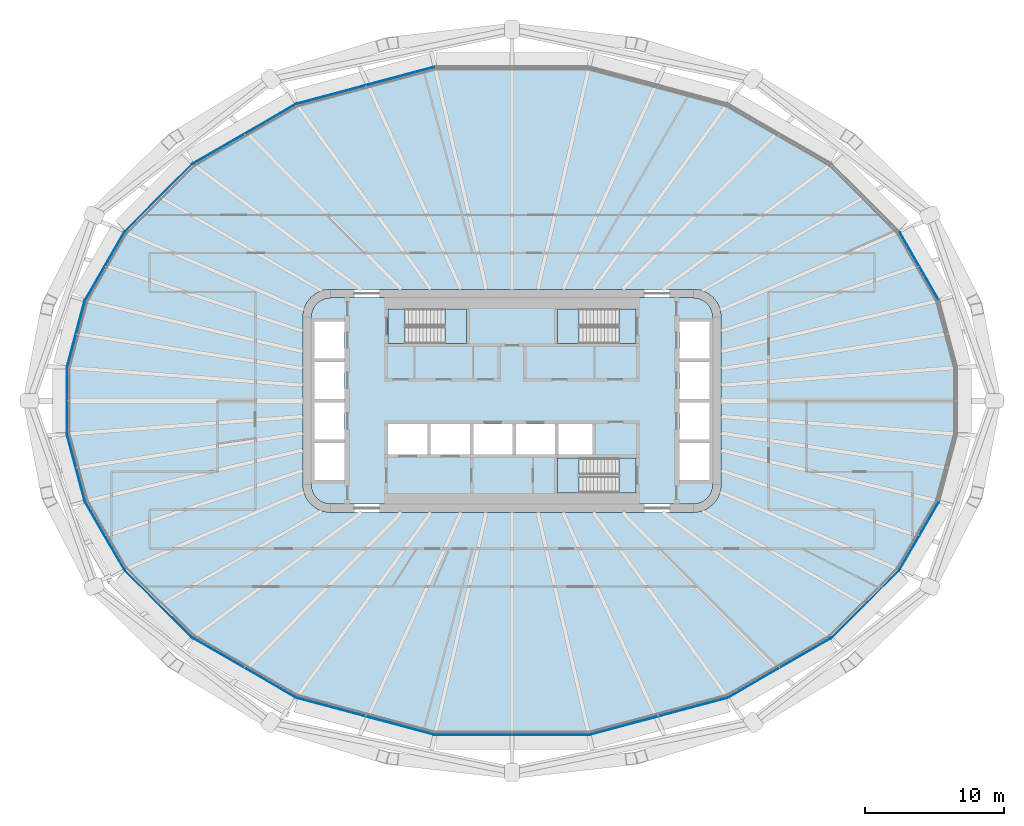
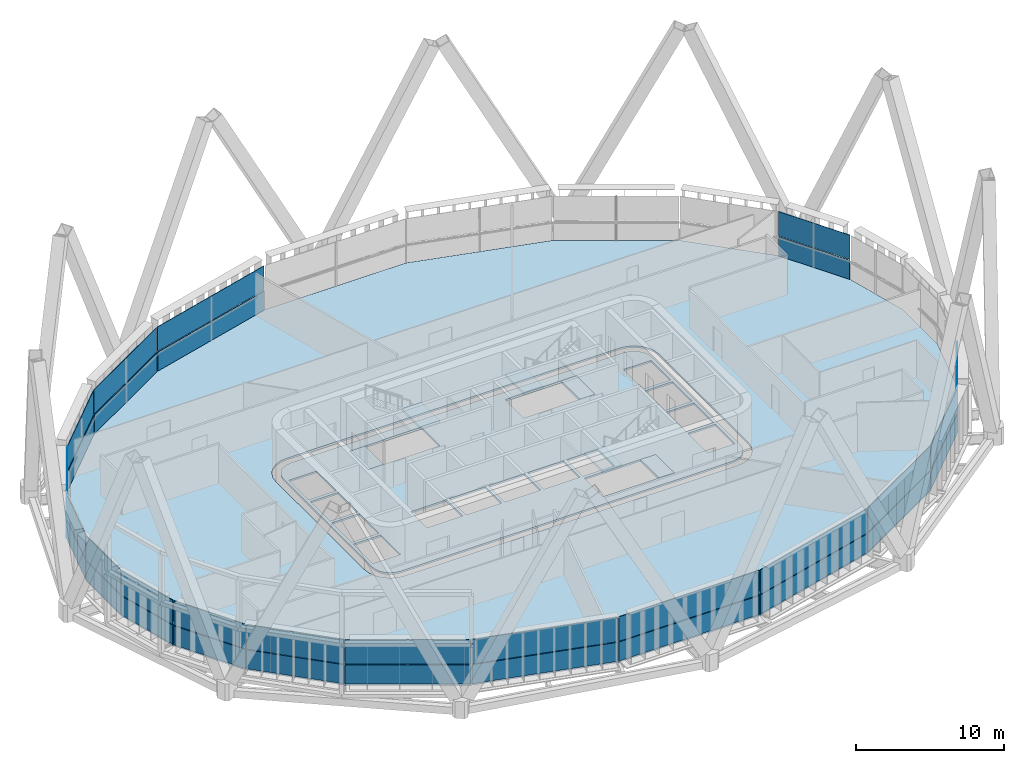
# One storey, part 13 of 25: 34 plates, 8 slabs, 20 elements without a shape of their own.
"""IFC4 building model written with IfcOpenShell, lengths in metres."""

from ifc_helpers import new_model, si_unit, direction, frame, origin, place, context, subcontext, project, spatial, polyline, outline, extrude, material, layer, layer_set, type_object, element, aggregate, save


model = new_model("IFC4")

# Units and contexts
model_context = context("Model", 3, precision=1e-05, world=origin(), true_north=direction((0.0, 1.0)))
body_context = subcontext(model_context, "Body", "Model", "MODEL_VIEW")
ifc_project = project(units=[si_unit("LENGTHUNIT", "METRE"), si_unit("AREAUNIT", "SQUARE_METRE"), si_unit("VOLUMEUNIT", "CUBIC_METRE"), si_unit("PLANEANGLEUNIT", "RADIAN"), si_unit("MASSUNIT", "GRAM", prefix="KILO")], contexts=[model_context])

# Site, building, storey
site_placement = place(None, origin())
site = spatial("IfcSite", under=ifc_project, at=site_placement, CompositionType="ELEMENT")
building_placement = place(site_placement, origin())
building = spatial("IfcBuilding", under=site, at=building_placement, Name="Sahrelin Media Tower", CompositionType="ELEMENT")
storey_placement = place(building_placement, frame((0.0, 0.0, 114.60009765625)))
storey = spatial("IfcBuildingStorey", under=building, at=storey_placement, Name="L22", CompositionType="ELEMENT", Elevation=114.60009765625)

# Slabs
ifc_material_1 = material(Name="Concrete C40/50", Category="concrete")
ifc_layer_1 = layer(ifc_material_1, 0.14990234375)
ifc_layer_set_1 = layer_set([ifc_layer_1], Name="Composite floor slab 150")
slab_type_1 = type_object("IfcSlabType", Name="Composite floor slab 150", PredefinedType="FLOOR", material=ifc_layer_set_1)
placement_1 = place(storey_placement, frame((0.0, 0.0, -0.150146484375)))
element("IfcSlab", 1, at=placement_1, inside=storey, type_object=slab_type_1, Name="Floor slab L22", PredefinedType="FLOOR", context=body_context, shape_type="SweptSolid", body=[
    extrude(outline(polyline([(31.895751953125, -2.38232421875), (31.895751953125, 2.38232421875), (30.60595703125, 7.19580078125), (27.770751953125, 12.106689453125), (22.89892578125, 16.978515625), (15.46240234375, 21.272216796875), (5.5234375, 23.935302734375), (-5.5234375, 23.935302734375), (-15.46240234375, 21.272216796875), (-22.89892578125, 16.978515625), (-27.770751953125, 12.106689453125), (-30.60595703125, 7.19580078125), (-31.895751953125, 2.38232421875), (-31.895751953125, -2.38232421875), (-30.60595703125, -7.19580078125), (-27.770751953125, -12.106689453125), (-22.89892578125, -16.978515625), (-15.46240234375, -21.272216796875), (-5.5234375, -23.935302734375), (5.5234375, -23.935302734375), (15.46240234375, -21.272216796875), (22.89892578125, -16.978515625), (27.770751953125, -12.106689453125), (30.60595703125, -7.19580078125), (31.895751953125, -2.38232421875)]), holes=[polyline([(14.931884765625, 6.517578125), (15.0, 6.0), (15.0, -6.0), (14.931884765625, -6.517578125), (14.732177734375, -7.0), (14.414306640625, -7.414306640625), (14.0, -7.732177734375), (13.517578125, -7.931884765625), (13.0, -8.0), (-13.0, -8.0), (-13.517578125, -7.931884765625), (-14.0, -7.732177734375), (-14.414306640625, -7.414306640625), (-14.732177734375, -7.0), (-14.931884765625, -6.517578125), (-15.0, -6.0), (-15.0, 6.0), (-14.931884765625, 6.517578125), (-14.732177734375, 7.0), (-14.414306640625, 7.414306640625), (-14.0, 7.732177734375), (-13.517578125, 7.931884765625), (-13.0, 8.0), (13.0, 8.0), (13.517578125, 7.931884765625), (14.0, 7.732177734375), (14.414306640625, 7.414306640625), (14.732177734375, 7.0), (14.931884765625, 6.517578125)])]), origin(), (0.0, 0.0, 1.0), 0.150146484375),
])
ifc_layer_2 = layer(ifc_material_1, 0.14990234375)
ifc_layer_set_2 = layer_set([ifc_layer_2], Name="Core floor slab 150")
slab_type_2 = type_object("IfcSlabType", Name="Core floor slab 150", PredefinedType="FLOOR", material=ifc_layer_set_2)
element("IfcSlab", 2, at=placement_1, inside=storey, type_object=slab_type_2, Name="Core floor", PredefinedType="FLOOR", context=body_context, shape_type="SweptSolid", body=[
    extrude(outline(polyline([(-14.347412109375, 6.361083984375), (-14.39990234375, 5.960693359375), (-14.39990234375, -5.960693359375), (-14.347412109375, -6.361083984375), (-14.2080078125, -6.697509765625), (-13.986328125, -6.986328125), (-13.697509765625, -7.2080078125), (-13.361083984375, -7.347412109375), (-12.960693359375, -7.39990234375), (12.960693359375, -7.39990234375), (13.361083984375, -7.347412109375), (13.697509765625, -7.2080078125), (13.986328125, -6.986328125), (14.2080078125, -6.697509765625), (14.347412109375, -6.361083984375), (14.39990234375, -5.960693359375), (14.39990234375, 5.960693359375), (14.347412109375, 6.361083984375), (14.2080078125, 6.697509765625), (13.986328125, 6.986328125), (13.697509765625, 7.2080078125), (13.361083984375, 7.347412109375), (12.960693359375, 7.39990234375), (-12.960693359375, 7.39990234375), (-13.361083984375, 7.347412109375), (-13.697509765625, 7.2080078125), (-13.986328125, 6.986328125), (-14.2080078125, 6.697509765625), (-14.347412109375, 6.361083984375)]), holes=[polyline([(-12.0, 3.02490234375), (-12.0, 5.675048828125), (-14.14990234375, 5.675048828125), (-14.14990234375, 3.02490234375), (-12.0, 3.02490234375)]), polyline([(-14.14990234375, 0.125), (-12.0, 0.125), (-12.0, 2.77490234375), (-14.14990234375, 2.77490234375), (-14.14990234375, 0.125)]), polyline([(-14.14990234375, -0.125), (-14.14990234375, -2.77490234375), (-12.0, -2.77490234375), (-12.0, -0.125), (-14.14990234375, -0.125)]), polyline([(-12.0, -3.02490234375), (-14.14990234375, -3.02490234375), (-14.14990234375, -5.675048828125), (-12.0, -5.675048828125), (-12.0, -3.02490234375)]), polyline([(14.14990234375, 3.02490234375), (14.14990234375, 5.675048828125), (12.0, 5.675048828125), (12.0, 3.02490234375), (14.14990234375, 3.02490234375)]), polyline([(12.0, 0.125), (14.14990234375, 0.125), (14.14990234375, 2.77490234375), (12.0, 2.77490234375), (12.0, 0.125)]), polyline([(12.0, -0.125), (12.0, -2.77490234375), (14.14990234375, -2.77490234375), (14.14990234375, -0.125), (12.0, -0.125)]), polyline([(14.14990234375, -3.02490234375), (12.0, -3.02490234375), (12.0, -5.675048828125), (14.14990234375, -5.675048828125), (14.14990234375, -3.02490234375)]), polyline([(-6.074951171875, -3.85009765625), (-6.074951171875, -1.64990234375), (-8.875, -1.64990234375), (-8.875, -3.85009765625), (-6.074951171875, -3.85009765625)]), polyline([(-5.824951171875, -3.85009765625), (-3.02490234375, -3.85009765625), (-3.02490234375, -1.64990234375), (-5.824951171875, -1.64990234375), (-5.824951171875, -3.85009765625)]), polyline([(-2.77490234375, -1.64990234375), (-2.77490234375, -3.85009765625), (0.02490234375, -3.85009765625), (0.02490234375, -1.64990234375), (-2.77490234375, -1.64990234375)]), polyline([(3.074951171875, -1.64990234375), (0.27490234375, -1.64990234375), (0.27490234375, -3.85009765625), (3.074951171875, -3.85009765625), (3.074951171875, -1.64990234375)]), polyline([(5.77490234375, -3.85009765625), (5.77490234375, -1.64990234375), (3.324951171875, -1.64990234375), (3.324951171875, -3.85009765625), (5.77490234375, -3.85009765625)]), polyline([(-8.875, 6.60009765625), (-8.875, 4.10009765625), (-3.27490234375, 4.10009765625), (-3.27490234375, 6.60009765625), (-8.875, 6.60009765625)]), polyline([(3.27490234375, 4.10009765625), (8.875, 4.10009765625), (8.875, 6.60009765625), (3.27490234375, 6.60009765625), (3.27490234375, 4.10009765625)]), polyline([(3.27490234375, -4.10009765625), (3.27490234375, -6.60009765625), (8.875, -6.60009765625), (8.875, -4.10009765625), (3.27490234375, -4.10009765625)])]), origin(), (0.0, 0.0, 1.0), 0.150146484375),
])

# Curtain wall, plate
ifc_material_2 = material(Name="Champagne anodised aluminium 6063-T6", Category="aluminium")
ifc_layer_3 = layer(ifc_material_2, 0.14990234375)
ifc_layer_set_3 = layer_set([ifc_layer_3], Name="Tower ribbon curtain wall")
curtain_wall_type = type_object("IfcCurtainWallType", Name="Tower ribbon curtain wall", PredefinedType="NOTDEFINED", material=ifc_layer_set_3)
curtain_wall_1_placement = place(storey_placement, frame((29.20556640625, 9.6611328125, 0.0), z_axis=(0.0, 0.0, 1.0), x_axis=(1.0, 0.0, 0.0)))
curtain_wall_1 = element("IfcCurtainWall", 3, at=curtain_wall_1_placement, inside=storey, type_object=curtain_wall_type, Name="L22:CW:L22-02", PredefinedType="NOTDEFINED")
ifc_material_3 = material(Name="Clear low-iron glazing", Category="glass")
ifc_layer_4 = layer(ifc_material_3, 0.0400390625)
ifc_layer_set_4 = layer_set([ifc_layer_4], Name="Glazing panel 40 mm CW1")
plate_type_1 = type_object("IfcPlateType", Name="Glazing panel 40 mm CW1", PredefinedType="CURTAIN_PANEL", material=ifc_layer_set_4)
plate_1_placement = place(storey_placement, frame((30.616943359375, 7.2568359375, 1.6298828125), z_axis=(0.866033195618, 0.499986503906, 0.0), x_axis=(-0.499986503906, 0.866033195618, 0.0)))
plate_1 = element("IfcPlate", 4, at=plate_1_placement, type_object=plate_type_1, Name="L22:CWP2:L22-02", PredefinedType="CURTAIN_PANEL", context=body_context, shape_type="SweptSolid", body=[
    extrude(outline(polyline([(0.0, 0.0), (5.575927734375, 0.0), (5.575927734375, 2.0185546875), (0.0, 2.0185546875), (0.0, 0.0)])), origin(), (0.0, 0.0, -1.0), 0.0400390625),
])

curtain_wall_2_placement = place(storey_placement, frame((-10.498046875, 22.622802734375, 0.0), z_axis=(0.0, 0.0, 1.0), x_axis=(1.0, 0.0, 0.0)))
curtain_wall_2 = element("IfcCurtainWall", 5, at=curtain_wall_2_placement, inside=storey, type_object=curtain_wall_type, Name="L22:CW:L22-07", PredefinedType="NOTDEFINED")
plate_2_placement = place(storey_placement, frame((-5.57958984375, 23.961669921875, 1.6298828125), z_axis=(-0.258825062686, 0.965924213862, 0.0), x_axis=(-0.965924213862, -0.258825062686, 0.0)))
plate_2 = element("IfcPlate", 6, at=plate_2_placement, type_object=plate_type_1, Name="L22:CWP2:L22-07", PredefinedType="CURTAIN_PANEL", context=body_context, shape_type="SweptSolid", body=[
    extrude(outline(polyline([(0.0, 0.0), (10.19482421875, 0.0), (10.19482421875, 2.0185546875), (0.0, 2.0185546875), (0.0, 0.0)])), origin(), (0.0, 0.0, -1.0), 0.0400390625),
])

curtain_wall_3_placement = place(storey_placement, frame((-19.190673828125, 19.142578125, 0.0), z_axis=(0.0, 0.0, 1.0), x_axis=(1.0, 0.0, 0.0)))
curtain_wall_3 = element("IfcCurtainWall", 7, at=curtain_wall_3_placement, inside=storey, type_object=curtain_wall_type, Name="L22:CW:L22-08", PredefinedType="NOTDEFINED")
plate_3_placement = place(storey_placement, frame((-15.5234375, 21.282958984375, 1.6298828125), z_axis=(-0.499997854429, 0.866026642527, 0.0), x_axis=(-0.866026642527, -0.499997854429, 0.0)))
plate_3 = element("IfcPlate", 8, at=plate_3_placement, type_object=plate_type_1, Name="L22:CWP2:L22-08", PredefinedType="CURTAIN_PANEL", context=body_context, shape_type="SweptSolid", body=[
    extrude(outline(polyline([(0.0, 0.0), (8.4921875, 0.0), (8.4921875, 2.0185546875), (0.0, 2.0185546875), (0.0, 0.0)])), origin(), (0.0, 0.0, -1.0), 0.0400390625),
])

curtain_wall_4_placement = place(storey_placement, frame((-25.348876953125, 14.556884765625, 0.0), z_axis=(0.0, 0.0, 1.0), x_axis=(1.0, 0.0, 0.0)))
curtain_wall_4 = element("IfcCurtainWall", 9, at=curtain_wall_4_placement, inside=storey, type_object=curtain_wall_type, Name="L22:CW:L22-09", PredefinedType="NOTDEFINED")
plate_4_placement = place(storey_placement, frame((-22.960693359375, 16.973388671875, 1.6298828125), z_axis=(-0.707124745613, 0.707088816303, 0.0), x_axis=(-0.707088816303, -0.707124745613, 0.0)))
plate_4 = element("IfcPlate", 10, at=plate_4_placement, type_object=plate_type_1, Name="L22:CWP2:L22-09", PredefinedType="CURTAIN_PANEL", context=body_context, shape_type="SweptSolid", body=[
    extrude(outline(polyline([(0.0, 0.0), (6.794921875, 0.0), (6.794921875, 2.0185546875), (0.0, 2.0185546875), (0.0, 0.0)])), origin(), (0.0, 0.0, -1.0), 0.0400390625),
])

curtain_wall_5_placement = place(storey_placement, frame((-29.205810546875, 9.661376953125, 0.0), z_axis=(0.0, 0.0, 1.0), x_axis=(1.0, 0.0, 0.0)))
curtain_wall_5 = element("IfcCurtainWall", 11, at=curtain_wall_5_placement, inside=storey, type_object=curtain_wall_type, Name="L22:CW:L22-10", PredefinedType="NOTDEFINED")
plate_5_placement = place(storey_placement, frame((-27.8291015625, 12.085693359375, 1.6298828125), z_axis=(-0.866033195618, 0.499986503906, 0.0), x_axis=(-0.499986503906, -0.866033195618, 0.0)))
plate_5 = element("IfcPlate", 12, at=plate_5_placement, type_object=plate_type_1, Name="L22:CWP2:L22-10", PredefinedType="CURTAIN_PANEL", context=body_context, shape_type="SweptSolid", body=[
    extrude(outline(polyline([(0.0, 0.0), (5.575927734375, 0.0), (5.575927734375, 2.0185546875), (0.0, 2.0185546875), (0.0, 0.0)])), origin(), (0.0, 0.0, -1.0), 0.0400390625),
])

curtain_wall_6_placement = place(storey_placement, frame((-31.270263671875, 4.794189453125, 0.0), z_axis=(0.0, 0.0, 1.0), x_axis=(1.0, 0.0, 0.0)))
curtain_wall_6 = element("IfcCurtainWall", 13, at=curtain_wall_6_placement, inside=storey, type_object=curtain_wall_type, Name="L22:CW:L22-11", PredefinedType="NOTDEFINED")
plate_6_placement = place(storey_placement, frame((-30.656982421875, 7.160400390625, 1.6298828125), z_axis=(-0.965930886876, 0.258800157996, 0.0), x_axis=(-0.258800157996, -0.965930886876, 0.0)))
plate_6 = element("IfcPlate", 14, at=plate_6_placement, type_object=plate_type_1, Name="L22:CWP2:L22-11", PredefinedType="CURTAIN_PANEL", context=body_context, shape_type="SweptSolid", body=[
    extrude(outline(polyline([(0.0, 0.0), (4.888427734375, 0.0), (4.888427734375, 2.0185546875), (0.0, 2.0185546875), (0.0, 0.0)])), origin(), (0.0, 0.0, -1.0), 0.0400390625),
])

curtain_wall_7_placement = place(storey_placement, frame((-31.915771484375, 0.0, 0.0), z_axis=(0.0, 0.0, 1.0), x_axis=(1.0, 0.0, 0.0)))
curtain_wall_7 = element("IfcCurtainWall", 15, at=curtain_wall_7_placement, inside=storey, type_object=curtain_wall_type, Name="L22:CW:L22-12", PredefinedType="NOTDEFINED")
plate_7_placement = place(storey_placement, frame((-31.935791015625, 2.3349609375, 1.6298828125), z_axis=(-1.0, 0.0, 0.0), x_axis=(0.0, -1.0, 0.0)))
plate_7 = element("IfcPlate", 16, at=plate_7_placement, type_object=plate_type_1, Name="L22:CWP2:L22-12", PredefinedType="CURTAIN_PANEL", context=body_context, shape_type="SweptSolid", body=[
    extrude(outline(polyline([(0.0, 0.0), (4.669921875, 0.0), (4.669921875, 2.0185546875), (0.0, 2.0185546875), (0.0, 0.0)])), origin(), (0.0, 0.0, -1.0), 0.0400390625),
])

curtain_wall_8_placement = place(storey_placement, frame((-31.270263671875, -4.794189453125, 0.0), z_axis=(0.0, 0.0, 1.0), x_axis=(1.0, 0.0, 0.0)))
curtain_wall_8 = element("IfcCurtainWall", 17, at=curtain_wall_8_placement, inside=storey, type_object=curtain_wall_type, Name="L22:CW:L22-13", PredefinedType="NOTDEFINED")
plate_8_placement = place(storey_placement, frame((-31.922119140625, -2.4384765625, 1.6298828125), z_axis=(-0.965930886876, -0.258800157996, 0.0), x_axis=(0.258800157996, -0.965930886876, 0.0)))
plate_8 = element("IfcPlate", 18, at=plate_8_placement, type_object=plate_type_1, Name="L22:CWP2:L22-13", PredefinedType="CURTAIN_PANEL", context=body_context, shape_type="SweptSolid", body=[
    extrude(outline(polyline([(0.0, 0.0), (4.888427734375, 0.0), (4.888427734375, 2.0185546875), (0.0, 2.0185546875), (0.0, 0.0)])), origin(), (0.0, 0.0, -1.0), 0.0400390625),
])

curtain_wall_9_placement = place(storey_placement, frame((-29.20556640625, -9.6611328125, 0.0), z_axis=(0.0, 0.0, 1.0), x_axis=(1.0, 0.0, 0.0)))
curtain_wall_9 = element("IfcCurtainWall", 19, at=curtain_wall_9_placement, inside=storey, type_object=curtain_wall_type, Name="L22:CW:L22-14", PredefinedType="NOTDEFINED")
plate_9_placement = place(storey_placement, frame((-30.616943359375, -7.2568359375, 1.6298828125), z_axis=(-0.866033195618, -0.499986503906, 0.0), x_axis=(0.499986503906, -0.866033195618, 0.0)))
plate_9 = element("IfcPlate", 20, at=plate_9_placement, type_object=plate_type_1, Name="L22:CWP2:L22-14", PredefinedType="CURTAIN_PANEL", context=body_context, shape_type="SweptSolid", body=[
    extrude(outline(polyline([(0.0, 0.0), (5.575927734375, 0.0), (5.575927734375, 2.0185546875), (0.0, 2.0185546875), (0.0, 0.0)])), origin(), (0.0, 0.0, -1.0), 0.0400390625),
])

curtain_wall_10_placement = place(storey_placement, frame((-25.34912109375, -14.556884765625, 0.0), z_axis=(0.0, 0.0, 1.0), x_axis=(1.0, 0.0, 0.0)))
curtain_wall_10 = element("IfcCurtainWall", 21, at=curtain_wall_10_placement, inside=storey, type_object=curtain_wall_type, Name="L22:CW:L22-15", PredefinedType="NOTDEFINED")
plate_10_placement = place(storey_placement, frame((-27.765380859375, -12.16845703125, 1.6298828125), z_axis=(-0.707124745613, -0.707088816303, 0.0), x_axis=(0.707088816303, -0.707124745613, 0.0)))
plate_10 = element("IfcPlate", 22, at=plate_10_placement, type_object=plate_type_1, Name="L22:CWP2:L22-15", PredefinedType="CURTAIN_PANEL", context=body_context, shape_type="SweptSolid", body=[
    extrude(outline(polyline([(0.0, 0.0), (6.794921875, 0.0), (6.794921875, 2.0185546875), (0.0, 2.0185546875), (0.0, 0.0)])), origin(), (0.0, 0.0, -1.0), 0.0400390625),
])

curtain_wall_11_placement = place(storey_placement, frame((-19.190673828125, -19.142578125, 0.0), z_axis=(0.0, 0.0, 1.0), x_axis=(1.0, 0.0, 0.0)))
curtain_wall_11 = element("IfcCurtainWall", 23, at=curtain_wall_11_placement, inside=storey, type_object=curtain_wall_type, Name="L22:CW:L22-16", PredefinedType="NOTDEFINED")
plate_11_placement = place(storey_placement, frame((-22.8779296875, -17.036865234375, 1.6298828125), z_axis=(-0.499997854429, -0.866026642527, 0.0), x_axis=(0.866026642527, -0.499997854429, 0.0)))
plate_11 = element("IfcPlate", 24, at=plate_11_placement, type_object=plate_type_1, Name="L22:CWP2:L22-16", PredefinedType="CURTAIN_PANEL", context=body_context, shape_type="SweptSolid", body=[
    extrude(outline(polyline([(0.0, 0.0), (8.4921875, 0.0), (8.4921875, 2.0185546875), (0.0, 2.0185546875), (0.0, 0.0)])), origin(), (0.0, 0.0, -1.0), 0.0400390625),
])

curtain_wall_12_placement = place(storey_placement, frame((-10.498046875, -22.623046875, 0.0), z_axis=(0.0, 0.0, 1.0), x_axis=(1.0, 0.0, 0.0)))
curtain_wall_12 = element("IfcCurtainWall", 25, at=curtain_wall_12_placement, inside=storey, type_object=curtain_wall_type, Name="L22:CW:L22-17", PredefinedType="NOTDEFINED")
plate_12_placement = place(storey_placement, frame((-15.427001953125, -21.322998046875, 1.6298828125), z_axis=(-0.258825062686, -0.965924213862, 0.0), x_axis=(0.965924213862, -0.258825062686, 0.0)))
plate_12 = element("IfcPlate", 26, at=plate_12_placement, type_object=plate_type_1, Name="L22:CWP2:L22-17", PredefinedType="CURTAIN_PANEL", context=body_context, shape_type="SweptSolid", body=[
    extrude(outline(polyline([(0.0, 0.0), (10.19482421875, 0.0), (10.19482421875, 2.0185546875), (0.0, 2.0185546875), (0.0, 0.0)])), origin(), (0.0, 0.0, -1.0), 0.0400390625),
])

curtain_wall_13_placement = place(storey_placement, frame((0.0, -23.955078125, 0.0), z_axis=(0.0, 0.0, 1.0), x_axis=(1.0, 0.0, 0.0)))
curtain_wall_13 = element("IfcCurtainWall", 27, at=curtain_wall_13_placement, inside=storey, type_object=curtain_wall_type, Name="L22:CW:L22-18", PredefinedType="NOTDEFINED")
plate_13_placement = place(storey_placement, frame((-5.47607421875, -23.97509765625, 1.6298828125), z_axis=(0.0, -1.0, 0.0), x_axis=(1.0, 0.0, 0.0)))
plate_13 = element("IfcPlate", 28, at=plate_13_placement, type_object=plate_type_1, Name="L22:CWP2:L22-18", PredefinedType="CURTAIN_PANEL", context=body_context, shape_type="SweptSolid", body=[
    extrude(outline(polyline([(0.0, 0.0), (10.9521484375, 0.0), (10.9521484375, 2.0185546875), (0.0, 2.0185546875), (0.0, 0.0)])), origin(), (0.0, 0.0, -1.0), 0.0400390625),
])

curtain_wall_14_placement = place(storey_placement, frame((10.498046875, -22.622802734375, 0.0), z_axis=(0.0, 0.0, 1.0), x_axis=(1.0, 0.0, 0.0)))
curtain_wall_14 = element("IfcCurtainWall", 29, at=curtain_wall_14_placement, inside=storey, type_object=curtain_wall_type, Name="L22:CW:L22-19", PredefinedType="NOTDEFINED")
plate_14_placement = place(storey_placement, frame((5.57958984375, -23.961669921875, 1.6298828125), z_axis=(0.258825062686, -0.965924213862, 0.0), x_axis=(0.965924213862, 0.258825062686, 0.0)))
plate_14 = element("IfcPlate", 30, at=plate_14_placement, type_object=plate_type_1, Name="L22:CWP2:L22-19", PredefinedType="CURTAIN_PANEL", context=body_context, shape_type="SweptSolid", body=[
    extrude(outline(polyline([(0.0, 0.0), (10.19482421875, 0.0), (10.19482421875, 2.0185546875), (0.0, 2.0185546875), (0.0, 0.0)])), origin(), (0.0, 0.0, -1.0), 0.0400390625),
])

curtain_wall_15_placement = place(storey_placement, frame((19.190673828125, -19.142578125, 0.0), z_axis=(0.0, 0.0, 1.0), x_axis=(1.0, 0.0, 0.0)))
curtain_wall_15 = element("IfcCurtainWall", 31, at=curtain_wall_15_placement, inside=storey, type_object=curtain_wall_type, Name="L22:CW:L22-20", PredefinedType="NOTDEFINED")
plate_15_placement = place(storey_placement, frame((15.5234375, -21.282958984375, 1.6298828125), z_axis=(0.499997854429, -0.866026642527, 0.0), x_axis=(0.866026642527, 0.499997854429, 0.0)))
plate_15 = element("IfcPlate", 32, at=plate_15_placement, type_object=plate_type_1, Name="L22:CWP2:L22-20", PredefinedType="CURTAIN_PANEL", context=body_context, shape_type="SweptSolid", body=[
    extrude(outline(polyline([(0.0, 0.0), (8.4921875, 0.0), (8.4921875, 2.0185546875), (0.0, 2.0185546875), (0.0, 0.0)])), origin(), (0.0, 0.0, -1.0), 0.0400390625),
])

curtain_wall_16_placement = place(storey_placement, frame((25.348876953125, -14.556884765625, 0.0), z_axis=(0.0, 0.0, 1.0), x_axis=(1.0, 0.0, 0.0)))
curtain_wall_16 = element("IfcCurtainWall", 33, at=curtain_wall_16_placement, inside=storey, type_object=curtain_wall_type, Name="L22:CW:L22-21", PredefinedType="NOTDEFINED")
plate_16_placement = place(storey_placement, frame((22.960693359375, -16.973388671875, 1.6298828125), z_axis=(0.707124745613, -0.707088816303, 0.0), x_axis=(0.707088816303, 0.707124745613, 0.0)))
plate_16 = element("IfcPlate", 34, at=plate_16_placement, type_object=plate_type_1, Name="L22:CWP2:L22-21", PredefinedType="CURTAIN_PANEL", context=body_context, shape_type="SweptSolid", body=[
    extrude(outline(polyline([(0.0, 0.0), (6.794921875, 0.0), (6.794921875, 2.0185546875), (0.0, 2.0185546875), (0.0, 0.0)])), origin(), (0.0, 0.0, -1.0), 0.0400390625),
])

curtain_wall_17_placement = place(storey_placement, frame((29.205810546875, -9.661376953125, 0.0), z_axis=(0.0, 0.0, 1.0), x_axis=(1.0, 0.0, 0.0)))
curtain_wall_17 = element("IfcCurtainWall", 35, at=curtain_wall_17_placement, inside=storey, type_object=curtain_wall_type, Name="L22:CW:L22-22", PredefinedType="NOTDEFINED")
plate_17_placement = place(storey_placement, frame((27.8291015625, -12.085693359375, 1.6298828125), z_axis=(0.866033195618, -0.499986503906, 0.0), x_axis=(0.499986503906, 0.866033195618, 0.0)))
plate_17 = element("IfcPlate", 36, at=plate_17_placement, type_object=plate_type_1, Name="L22:CWP2:L22-22", PredefinedType="CURTAIN_PANEL", context=body_context, shape_type="SweptSolid", body=[
    extrude(outline(polyline([(0.0, 0.0), (5.575927734375, 0.0), (5.575927734375, 2.0185546875), (0.0, 2.0185546875), (0.0, 0.0)])), origin(), (0.0, 0.0, -1.0), 0.0400390625),
])

# Plate
ifc_material_4 = material(Name="Insulated spandrel panel")
ifc_layer_5 = layer(ifc_material_4, 0.06005859375)
ifc_layer_set_5 = layer_set([ifc_layer_5], Name="Spandrel panel 60 mm CW1")
plate_type_2 = type_object("IfcPlateType", Name="Spandrel panel 60 mm CW1", PredefinedType="SHEET", material=ifc_layer_set_5)
plate_18_placement = place(storey_placement, frame((30.616943359375, 7.2568359375, 0.0), z_axis=(0.866033195618, 0.499986503906, 0.0), x_axis=(-0.499986503906, 0.866033195618, 0.0)))
plate_18 = element("IfcPlate", 37, at=plate_18_placement, type_object=plate_type_2, Name="L22:CWP1:L22-02", PredefinedType="SHEET", context=body_context, shape_type="SweptSolid", body=[
    extrude(outline(polyline([(0.0, 0.0), (5.575927734375, 0.0), (5.575927734375, 1.56982421875), (0.0, 1.56982421875), (0.0, 0.0)])), origin(), (0.0, 0.0, -1.0), 0.06005859375),
])

aggregate(curtain_wall_1, [plate_18, plate_1])

plate_19_placement = place(storey_placement, frame((-5.57958984375, 23.961669921875, 0.0), z_axis=(-0.258825062686, 0.965924213862, 0.0), x_axis=(-0.965924213862, -0.258825062686, 0.0)))
plate_19 = element("IfcPlate", 38, at=plate_19_placement, type_object=plate_type_2, Name="L22:CWP1:L22-07", PredefinedType="SHEET", context=body_context, shape_type="SweptSolid", body=[
    extrude(outline(polyline([(0.0, 0.0), (10.19482421875, 0.0), (10.19482421875, 1.56982421875), (0.0, 1.56982421875), (0.0, 0.0)])), origin(), (0.0, 0.0, -1.0), 0.06005859375),
])

aggregate(curtain_wall_2, [plate_19, plate_2])

plate_20_placement = place(storey_placement, frame((-15.5234375, 21.282958984375, 0.0), z_axis=(-0.499997854429, 0.866026642527, 0.0), x_axis=(-0.866026642527, -0.499997854429, 0.0)))
plate_20 = element("IfcPlate", 39, at=plate_20_placement, type_object=plate_type_2, Name="L22:CWP1:L22-08", PredefinedType="SHEET", context=body_context, shape_type="SweptSolid", body=[
    extrude(outline(polyline([(0.0, 0.0), (8.4921875, 0.0), (8.4921875, 1.56982421875), (0.0, 1.56982421875), (0.0, 0.0)])), origin(), (0.0, 0.0, -1.0), 0.06005859375),
])

aggregate(curtain_wall_3, [plate_20, plate_3])

plate_21_placement = place(storey_placement, frame((-22.960693359375, 16.973388671875, 0.0), z_axis=(-0.707124745613, 0.707088816303, 0.0), x_axis=(-0.707088816303, -0.707124745613, 0.0)))
plate_21 = element("IfcPlate", 40, at=plate_21_placement, type_object=plate_type_2, Name="L22:CWP1:L22-09", PredefinedType="SHEET", context=body_context, shape_type="SweptSolid", body=[
    extrude(outline(polyline([(0.0, 0.0), (6.794921875, 0.0), (6.794921875, 1.56982421875), (0.0, 1.56982421875), (0.0, 0.0)])), origin(), (0.0, 0.0, -1.0), 0.06005859375),
])

aggregate(curtain_wall_4, [plate_21, plate_4])

plate_22_placement = place(storey_placement, frame((-27.8291015625, 12.085693359375, 0.0), z_axis=(-0.866033195618, 0.499986503906, 0.0), x_axis=(-0.499986503906, -0.866033195618, 0.0)))
plate_22 = element("IfcPlate", 41, at=plate_22_placement, type_object=plate_type_2, Name="L22:CWP1:L22-10", PredefinedType="SHEET", context=body_context, shape_type="SweptSolid", body=[
    extrude(outline(polyline([(0.0, 0.0), (5.575927734375, 0.0), (5.575927734375, 1.56982421875), (0.0, 1.56982421875), (0.0, 0.0)])), origin(), (0.0, 0.0, -1.0), 0.06005859375),
])

aggregate(curtain_wall_5, [plate_22, plate_5])

plate_23_placement = place(storey_placement, frame((-30.656982421875, 7.160400390625, 0.0), z_axis=(-0.965930886876, 0.258800157996, 0.0), x_axis=(-0.258800157996, -0.965930886876, 0.0)))
plate_23 = element("IfcPlate", 42, at=plate_23_placement, type_object=plate_type_2, Name="L22:CWP1:L22-11", PredefinedType="SHEET", context=body_context, shape_type="SweptSolid", body=[
    extrude(outline(polyline([(0.0, 0.0), (4.888427734375, 0.0), (4.888427734375, 1.56982421875), (0.0, 1.56982421875), (0.0, 0.0)])), origin(), (0.0, 0.0, -1.0), 0.06005859375),
])

aggregate(curtain_wall_6, [plate_23, plate_6])

plate_24_placement = place(storey_placement, frame((-31.935791015625, 2.3349609375, 0.0), z_axis=(-1.0, 0.0, 0.0), x_axis=(0.0, -1.0, 0.0)))
plate_24 = element("IfcPlate", 43, at=plate_24_placement, type_object=plate_type_2, Name="L22:CWP1:L22-12", PredefinedType="SHEET", context=body_context, shape_type="SweptSolid", body=[
    extrude(outline(polyline([(0.0, 0.0), (4.669921875, 0.0), (4.669921875, 1.56982421875), (0.0, 1.56982421875), (0.0, 0.0)])), origin(), (0.0, 0.0, -1.0), 0.06005859375),
])

aggregate(curtain_wall_7, [plate_24, plate_7])

plate_25_placement = place(storey_placement, frame((-31.922119140625, -2.4384765625, 0.0), z_axis=(-0.965930886876, -0.258800157996, 0.0), x_axis=(0.258800157996, -0.965930886876, 0.0)))
plate_25 = element("IfcPlate", 44, at=plate_25_placement, type_object=plate_type_2, Name="L22:CWP1:L22-13", PredefinedType="SHEET", context=body_context, shape_type="SweptSolid", body=[
    extrude(outline(polyline([(0.0, 0.0), (4.888427734375, 0.0), (4.888427734375, 1.56982421875), (0.0, 1.56982421875), (0.0, 0.0)])), origin(), (0.0, 0.0, -1.0), 0.06005859375),
])

aggregate(curtain_wall_8, [plate_25, plate_8])

plate_26_placement = place(storey_placement, frame((-30.616943359375, -7.2568359375, 0.0), z_axis=(-0.866033195618, -0.499986503906, 0.0), x_axis=(0.499986503906, -0.866033195618, 0.0)))
plate_26 = element("IfcPlate", 45, at=plate_26_placement, type_object=plate_type_2, Name="L22:CWP1:L22-14", PredefinedType="SHEET", context=body_context, shape_type="SweptSolid", body=[
    extrude(outline(polyline([(0.0, 0.0), (5.575927734375, 0.0), (5.575927734375, 1.56982421875), (0.0, 1.56982421875), (0.0, 0.0)])), origin(), (0.0, 0.0, -1.0), 0.06005859375),
])

aggregate(curtain_wall_9, [plate_26, plate_9])

plate_27_placement = place(storey_placement, frame((-27.765380859375, -12.16845703125, 0.0), z_axis=(-0.707124745613, -0.707088816303, 0.0), x_axis=(0.707088816303, -0.707124745613, 0.0)))
plate_27 = element("IfcPlate", 46, at=plate_27_placement, type_object=plate_type_2, Name="L22:CWP1:L22-15", PredefinedType="SHEET", context=body_context, shape_type="SweptSolid", body=[
    extrude(outline(polyline([(0.0, 0.0), (6.794921875, 0.0), (6.794921875, 1.56982421875), (0.0, 1.56982421875), (0.0, 0.0)])), origin(), (0.0, 0.0, -1.0), 0.06005859375),
])

aggregate(curtain_wall_10, [plate_27, plate_10])

plate_28_placement = place(storey_placement, frame((-22.8779296875, -17.036865234375, 0.0), z_axis=(-0.499997854429, -0.866026642527, 0.0), x_axis=(0.866026642527, -0.499997854429, 0.0)))
plate_28 = element("IfcPlate", 47, at=plate_28_placement, type_object=plate_type_2, Name="L22:CWP1:L22-16", PredefinedType="SHEET", context=body_context, shape_type="SweptSolid", body=[
    extrude(outline(polyline([(0.0, 0.0), (8.4921875, 0.0), (8.4921875, 1.56982421875), (0.0, 1.56982421875), (0.0, 0.0)])), origin(), (0.0, 0.0, -1.0), 0.06005859375),
])

aggregate(curtain_wall_11, [plate_28, plate_11])

plate_29_placement = place(storey_placement, frame((-15.427001953125, -21.322998046875, 0.0), z_axis=(-0.258825062686, -0.965924213862, 0.0), x_axis=(0.965924213862, -0.258825062686, 0.0)))
plate_29 = element("IfcPlate", 48, at=plate_29_placement, type_object=plate_type_2, Name="L22:CWP1:L22-17", PredefinedType="SHEET", context=body_context, shape_type="SweptSolid", body=[
    extrude(outline(polyline([(0.0, 0.0), (10.19482421875, 0.0), (10.19482421875, 1.56982421875), (0.0, 1.56982421875), (0.0, 0.0)])), origin(), (0.0, 0.0, -1.0), 0.06005859375),
])

aggregate(curtain_wall_12, [plate_29, plate_12])

plate_30_placement = place(storey_placement, frame((-5.47607421875, -23.97509765625, 0.0), z_axis=(0.0, -1.0, 0.0), x_axis=(1.0, 0.0, 0.0)))
plate_30 = element("IfcPlate", 49, at=plate_30_placement, type_object=plate_type_2, Name="L22:CWP1:L22-18", PredefinedType="SHEET", context=body_context, shape_type="SweptSolid", body=[
    extrude(outline(polyline([(0.0, 0.0), (10.9521484375, 0.0), (10.9521484375, 1.56982421875), (0.0, 1.56982421875), (0.0, 0.0)])), origin(), (0.0, 0.0, -1.0), 0.06005859375),
])

aggregate(curtain_wall_13, [plate_30, plate_13])

plate_31_placement = place(storey_placement, frame((5.57958984375, -23.961669921875, 0.0), z_axis=(0.258825062686, -0.965924213862, 0.0), x_axis=(0.965924213862, 0.258825062686, 0.0)))
plate_31 = element("IfcPlate", 50, at=plate_31_placement, type_object=plate_type_2, Name="L22:CWP1:L22-19", PredefinedType="SHEET", context=body_context, shape_type="SweptSolid", body=[
    extrude(outline(polyline([(0.0, 0.0), (10.19482421875, 0.0), (10.19482421875, 1.56982421875), (0.0, 1.56982421875), (0.0, 0.0)])), origin(), (0.0, 0.0, -1.0), 0.06005859375),
])

aggregate(curtain_wall_14, [plate_31, plate_14])

plate_32_placement = place(storey_placement, frame((15.5234375, -21.282958984375, 0.0), z_axis=(0.499997854429, -0.866026642527, 0.0), x_axis=(0.866026642527, 0.499997854429, 0.0)))
plate_32 = element("IfcPlate", 51, at=plate_32_placement, type_object=plate_type_2, Name="L22:CWP1:L22-20", PredefinedType="SHEET", context=body_context, shape_type="SweptSolid", body=[
    extrude(outline(polyline([(0.0, 0.0), (8.4921875, 0.0), (8.4921875, 1.56982421875), (0.0, 1.56982421875), (0.0, 0.0)])), origin(), (0.0, 0.0, -1.0), 0.06005859375),
])

aggregate(curtain_wall_15, [plate_32, plate_15])

plate_33_placement = place(storey_placement, frame((22.960693359375, -16.973388671875, 0.0), z_axis=(0.707124745613, -0.707088816303, 0.0), x_axis=(0.707088816303, 0.707124745613, 0.0)))
plate_33 = element("IfcPlate", 52, at=plate_33_placement, type_object=plate_type_2, Name="L22:CWP1:L22-21", PredefinedType="SHEET", context=body_context, shape_type="SweptSolid", body=[
    extrude(outline(polyline([(0.0, 0.0), (6.794921875, 0.0), (6.794921875, 1.56982421875), (0.0, 1.56982421875), (0.0, 0.0)])), origin(), (0.0, 0.0, -1.0), 0.06005859375),
])

aggregate(curtain_wall_16, [plate_33, plate_16])

plate_34_placement = place(storey_placement, frame((27.8291015625, -12.085693359375, 0.0), z_axis=(0.866033195618, -0.499986503906, 0.0), x_axis=(0.499986503906, 0.866033195618, 0.0)))
plate_34 = element("IfcPlate", 53, at=plate_34_placement, type_object=plate_type_2, Name="L22:CWP1:L22-22", PredefinedType="SHEET", context=body_context, shape_type="SweptSolid", body=[
    extrude(outline(polyline([(0.0, 0.0), (5.575927734375, 0.0), (5.575927734375, 1.56982421875), (0.0, 1.56982421875), (0.0, 0.0)])), origin(), (0.0, 0.0, -1.0), 0.06005859375),
])

aggregate(curtain_wall_17, [plate_34, plate_17])

# Stair, slabs
stair_type = type_object("IfcStairType", Name="Exit stair 1200", PredefinedType="HALF_TURN_STAIR", material=ifc_material_1)
placement_2 = place(storey_placement, origin())
stair_1 = element("IfcStair", 54, at=placement_2, inside=storey, type_object=stair_type, Name="L22 Exit stair ST1", PredefinedType="HALF_TURN_STAIR")
ifc_layer_6 = layer(ifc_material_1, 0.199951171875)
ifc_layer_set_6 = layer_set([ifc_layer_6], Name="Stair landing 200")
slab_type_3 = type_object("IfcSlabType", Name="Stair landing 200", PredefinedType="LANDING", material=ifc_layer_set_6)
placement_3 = place(storey_placement, frame((0.0, 0.0, 1.89990234375)))
slab_3 = element("IfcSlab", 55, at=placement_3, type_object=slab_type_3, Name="ST1 landing 1", PredefinedType="LANDING", context=body_context, shape_type="SweptSolid", body=[
    extrude(outline(polyline([(-4.81494140625, 4.10009765625), (-3.27490234375, 4.10009765625), (-3.27490234375, 6.60009765625), (-4.81494140625, 6.60009765625), (-4.81494140625, 4.10009765625)])), origin(), (0.0, 0.0, 1.0), 0.199951171875),
])
placement_4 = place(storey_placement, frame((0.0, 0.0, -0.2001953125)))
slab_4 = element("IfcSlab", 56, at=placement_4, type_object=slab_type_3, Name="ST1 landing 2", PredefinedType="LANDING", context=body_context, shape_type="SweptSolid", body=[
    extrude(outline(polyline([(-8.875, 4.10009765625), (-7.675048828125, 4.10009765625), (-7.675048828125, 6.60009765625), (-8.875, 6.60009765625), (-8.875, 4.10009765625)])), origin(), (0.0, 0.0, 1.0), 0.2001953125),
])
aggregate(stair_1, [slab_3, slab_4])

stair_2 = element("IfcStair", 57, at=placement_2, inside=storey, type_object=stair_type, Name="L22 Exit stair ST3", PredefinedType="HALF_TURN_STAIR")
slab_5 = element("IfcSlab", 58, at=placement_3, type_object=slab_type_3, Name="ST3 landing 1", PredefinedType="LANDING", context=body_context, shape_type="SweptSolid", body=[
    extrude(outline(polyline([(4.81494140625, 6.60009765625), (3.27490234375, 6.60009765625), (3.27490234375, 4.10009765625), (4.81494140625, 4.10009765625), (4.81494140625, 6.60009765625)])), origin(), (0.0, 0.0, 1.0), 0.199951171875),
])
slab_6 = element("IfcSlab", 59, at=placement_4, type_object=slab_type_3, Name="ST3 landing 2", PredefinedType="LANDING", context=body_context, shape_type="SweptSolid", body=[
    extrude(outline(polyline([(8.875, 6.60009765625), (7.675048828125, 6.60009765625), (7.675048828125, 4.10009765625), (8.875, 4.10009765625), (8.875, 6.60009765625)])), origin(), (0.0, 0.0, 1.0), 0.2001953125),
])
aggregate(stair_2, [slab_5, slab_6])

stair_3 = element("IfcStair", 60, at=placement_2, inside=storey, type_object=stair_type, Name="L22 Exit stair ST2", PredefinedType="HALF_TURN_STAIR")
slab_7 = element("IfcSlab", 61, at=placement_3, type_object=slab_type_3, Name="ST2 landing 1", PredefinedType="LANDING", context=body_context, shape_type="SweptSolid", body=[
    extrude(outline(polyline([(4.81494140625, -4.10009765625), (3.27490234375, -4.10009765625), (3.27490234375, -6.60009765625), (4.81494140625, -6.60009765625), (4.81494140625, -4.10009765625)])), origin(), (0.0, 0.0, 1.0), 0.199951171875),
])
slab_8 = element("IfcSlab", 62, at=placement_4, type_object=slab_type_3, Name="ST2 landing 2", PredefinedType="LANDING", context=body_context, shape_type="SweptSolid", body=[
    extrude(outline(polyline([(8.875, -4.10009765625), (7.675048828125, -4.10009765625), (7.675048828125, -6.60009765625), (8.875, -6.60009765625), (8.875, -4.10009765625)])), origin(), (0.0, 0.0, 1.0), 0.2001953125),
])
aggregate(stair_3, [slab_7, slab_8])

save(model, "model.ifc")
